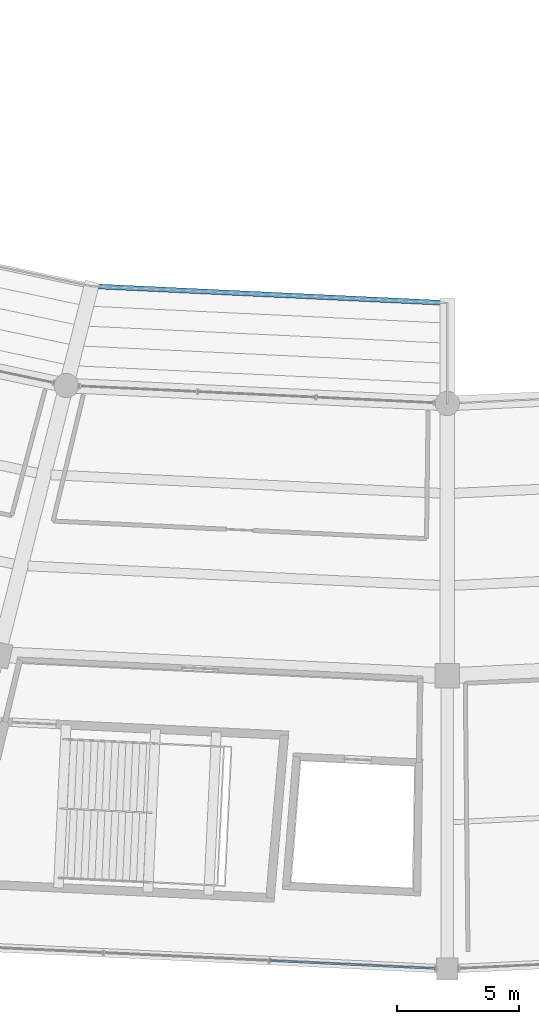
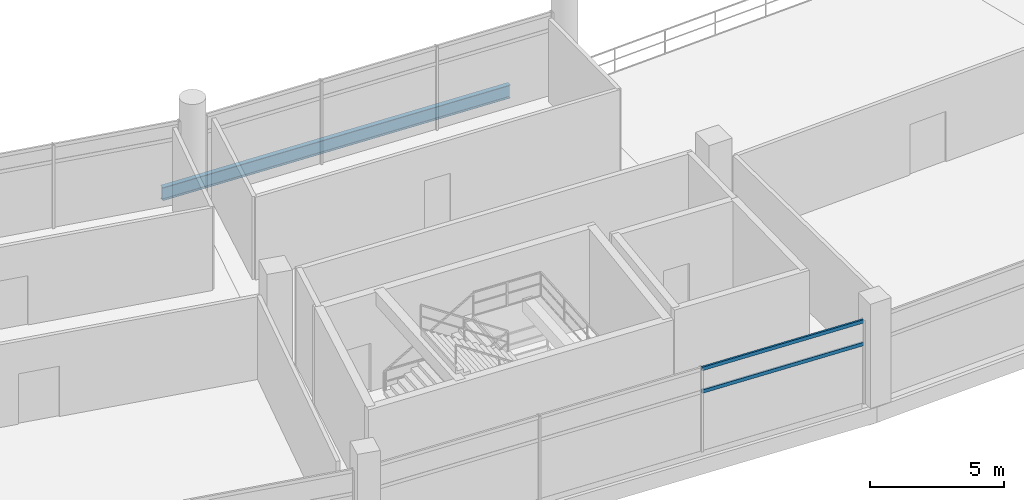
# One storey, part 27 of 171: 2 members, 1 beam, 1 element without a shape of its own.
"""IFC4 building model written with IfcOpenShell, lengths in metres."""

from ifc_helpers import new_model, si_unit, direction, frame, origin, origin_2d, place, context, subcontext, project, spatial, hollow_rectangle, i_section, extrude, material, layer, layer_set, material_profile, profile_set, type_object, element, aggregate, save


model = new_model("IFC4")

# Units and contexts
model_context = context("Model", 3, precision=1e-05, world=origin(), true_north=direction((0.0, 1.0)))
body_context = subcontext(model_context, "Body", "Model", "MODEL_VIEW")
ifc_project = project(units=[si_unit("LENGTHUNIT", "METRE"), si_unit("AREAUNIT", "SQUARE_METRE"), si_unit("VOLUMEUNIT", "CUBIC_METRE"), si_unit("PLANEANGLEUNIT", "RADIAN"), si_unit("MASSUNIT", "GRAM", prefix="KILO")], contexts=[model_context])

# Site, building, storey
site_placement = place(None, origin())
site = spatial("IfcSite", under=ifc_project, at=site_placement, CompositionType="ELEMENT")
building_placement = place(site_placement, origin())
building = spatial("IfcBuilding", under=site, at=building_placement, Name="Kazemori Nagisa Stadium", CompositionType="ELEMENT")
storey_placement = place(building_placement, frame((0.0, 0.0, 15.639892578125)))
storey = spatial("IfcBuildingStorey", under=building, at=storey_placement, Name="L03", CompositionType="ELEMENT", Elevation=15.639892578125)

# Beam
ifc_material_1 = material(Name="Steel SN490B", Category="steel")
ifc_material_profile_1 = material_profile(ifc_material_1, i_section(OverallWidth=0.199951171875, OverallDepth=0.60009765625, WebThickness=0.010986328125, FlangeThickness=0.01708984375, FilletRadius=0.012939453125, at=origin_2d()), Name="H-600x200x11x17")
ifc_profile_set_1 = profile_set([ifc_material_profile_1], Name="Steel SN490B")
beam_type = type_object("IfcBeamType", Name="Beam_BS-H600", PredefinedType="SPANDREL", material=ifc_profile_set_1)
beam_placement = place(storey_placement, frame((108.38623046875, 44.0390625, -2.46484375), z_axis=(0.99888345174, -0.047242458015, 0.0), x_axis=(0.047242458015, 0.99888345174, 0.0)))
element("IfcBeam", 1, at=beam_placement, inside=storey, type_object=beam_type, Name="Club tier front edge beam 21", PredefinedType="SPANDREL", context=body_context, shape_type="SweptSolid", body=[
    extrude(i_section(OverallWidth=0.199951171875, OverallDepth=0.60009765625, WebThickness=0.010986328125, FlangeThickness=0.01708984375, FilletRadius=0.012939453125, at=origin_2d()), origin(), (0.0, 0.0, 1.0), 14.630126953125),
])

# Curtain wall, members
ifc_material_2 = material(Name="Anodised aluminium 6063-T5", Category="aluminium")
ifc_layer = layer(ifc_material_2, 0.2099609375, Name="Anodised aluminium 6063-T5", Category="aluminium")
ifc_layer_set = layer_set([ifc_layer], Name="Anodised aluminium 6063-T5")
curtain_wall_type = type_object("IfcCurtainWallType", Name="CW_L03R3_103", PredefinedType="USERDEFINED", material=ifc_layer_set)
curtain_wall_placement = place(storey_placement, origin())
curtain_wall = element("IfcCurtainWall", 2, at=curtain_wall_placement, inside=storey, type_object=curtain_wall_type, Name="Unitised curtain wall CW-L03R3-103 L03", ObjectType="UNITISED CURTAIN WALL", PredefinedType="USERDEFINED")
ifc_material_3 = material(Name="Aluminium 6063-T5 anodised", Category="aluminium")
ifc_material_profile_2 = material_profile(ifc_material_3, hollow_rectangle(XDim=0.080078125, YDim=0.159912109375, WallThickness=0.00390625, at=origin_2d()), Name="ALU-TRAN-80x160x4")
ifc_profile_set_2 = profile_set([ifc_material_profile_2], Name="Aluminium 6063-T5 anodised")
member_type = type_object("IfcMemberType", Name="Transom_T02", PredefinedType="USERDEFINED", material=ifc_profile_set_2)
member_1_placement = place(storey_placement, frame((115.71923828125, 16.34423828125, 2.705322265625), z_axis=(0.998884581669, -0.047218561007, 0.0), x_axis=(0.047218561007, 0.998884581669, 0.0)))
member_1 = element("IfcMember", 3, at=member_1_placement, type_object=member_type, Name="Curtain wall transom CW-L03R3-103-T3-mid", ObjectType="TRANSOM", PredefinedType="USERDEFINED", context=body_context, shape_type="SweptSolid", body=[
    extrude(hollow_rectangle(XDim=0.080078125, YDim=0.159912109375, WallThickness=0.00390625, at=origin_2d()), origin(), (0.0, 0.0, 1.0), 6.7939453125),
])
member_2_placement = place(storey_placement, frame((115.71923828125, 16.34423828125, 3.739990234375), z_axis=(0.998884581669, -0.047218561007, 0.0), x_axis=(0.047218561007, 0.998884581669, 0.0)))
member_2 = element("IfcMember", 4, at=member_2_placement, type_object=member_type, Name="Curtain wall transom CW-L03R3-103-T3-head", ObjectType="TRANSOM", PredefinedType="USERDEFINED", context=body_context, shape_type="SweptSolid", body=[
    extrude(hollow_rectangle(XDim=0.080078125, YDim=0.159912109375, WallThickness=0.00390625, at=origin_2d()), origin(), (0.0, 0.0, 1.0), 6.7939453125),
])
aggregate(curtain_wall, [member_1, member_2])

save(model, "model.ifc")
